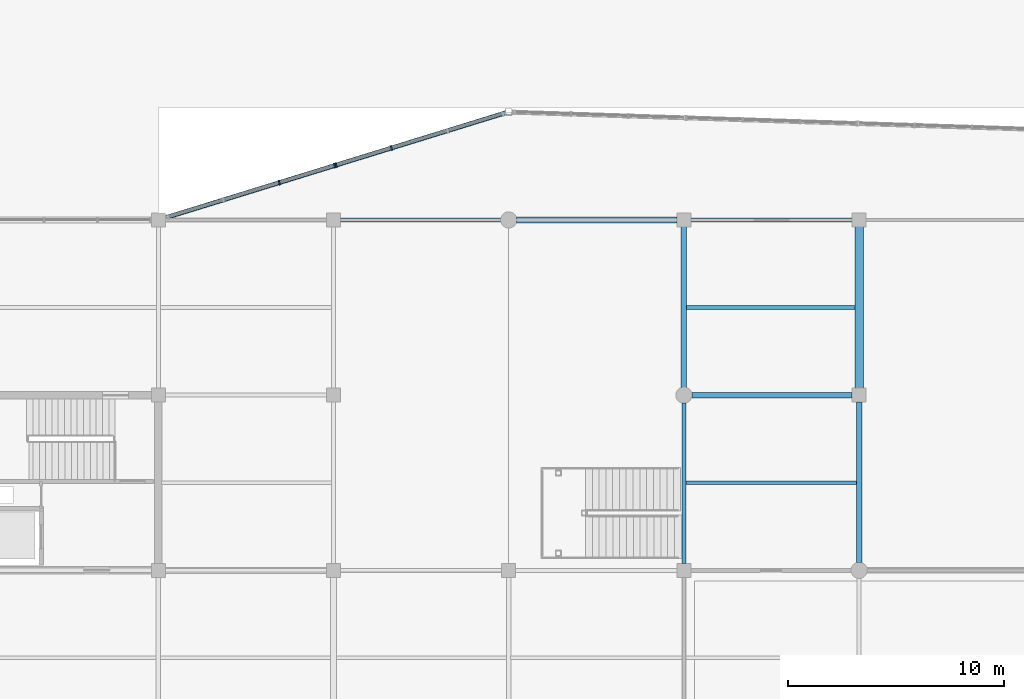
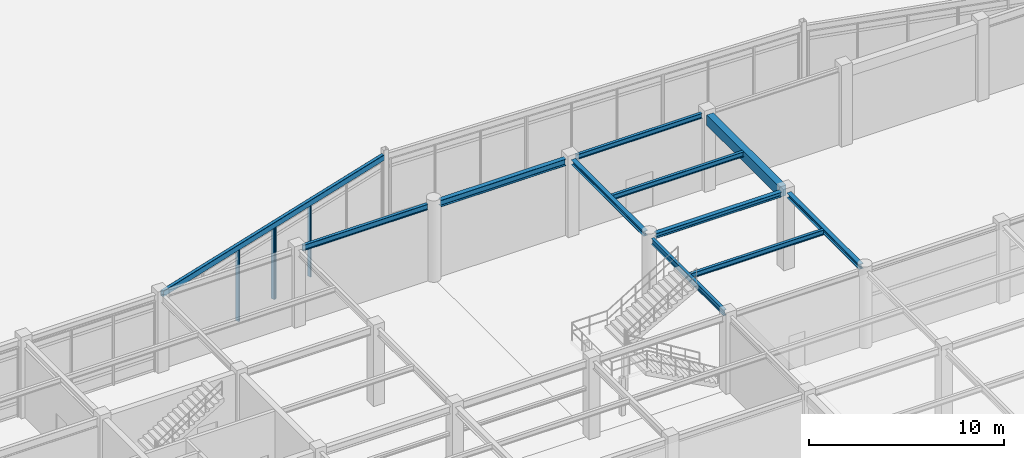
# One storey, part 28 of 99: 11 beams, 4 members, 2 elements without a shape of their own.
"""IFC4 building model written with IfcOpenShell, lengths in metres."""

from ifc_helpers import new_model, si_unit, direction, frame, origin, origin_2d, place, context, subcontext, project, spatial, rectangle, hollow_rectangle, i_section, extrude, material, layer, layer_set, material_profile, profile_set, type_object, element, aggregate, save


model = new_model("IFC4")

# Units and contexts
model_context = context("Model", 3, precision=1e-05, world=origin(), true_north=direction((0.0, 1.0)))
body_context = subcontext(model_context, "Body", "Model", "MODEL_VIEW")
ifc_project = project(units=[si_unit("LENGTHUNIT", "METRE"), si_unit("AREAUNIT", "SQUARE_METRE"), si_unit("VOLUMEUNIT", "CUBIC_METRE"), si_unit("PLANEANGLEUNIT", "RADIAN"), si_unit("MASSUNIT", "GRAM", prefix="KILO")], contexts=[model_context])

# Site, building, storey
site_placement = place(None, origin())
site = spatial("IfcSite", under=ifc_project, at=site_placement, CompositionType="ELEMENT")
building_placement = place(site_placement, origin())
building = spatial("IfcBuilding", under=site, at=building_placement, Name="Vaudrelin Polytechnic", CompositionType="ELEMENT")
storey_placement = place(building_placement, origin())
storey = spatial("IfcBuildingStorey", under=building, at=storey_placement, Name="L00", CompositionType="ELEMENT", Elevation=0.0)

# Beams
ifc_material_1 = material(Name="Steel CSA G40.21 350WT", Category="steel")
ifc_material_profile_1 = material_profile(ifc_material_1, i_section(OverallWidth=0.260009765625, OverallDepth=0.4150390625, WebThickness=0.010009765625, FlangeThickness=0.016845703125, FilletRadius=0.01611328125, at=origin_2d()), Name="W410x100")
ifc_profile_set_1 = profile_set([ifc_material_profile_1], Name="Steel CSA G40.21 350WT")
beam_type_1 = type_object("IfcBeamType", Name="BM-BM-W410H", PredefinedType="SPANDREL", material=ifc_profile_set_1)
beam_1_placement = place(storey_placement, frame((73.27099609375, 48.60009765625, 4.612548828125), z_axis=(1.0, 0.0, 0.0), x_axis=(0.0, 1.0, 0.0)))
element("IfcBeam", 1, at=beam_1_placement, inside=storey, type_object=beam_type_1, Name="L00 X-beam 10-7", PredefinedType="SPANDREL", context=body_context, shape_type="SweptSolid", body=[
    extrude(i_section(OverallWidth=0.260009765625, OverallDepth=0.4150390625, WebThickness=0.010009765625, FlangeThickness=0.016845703125, FilletRadius=0.01611328125, at=origin_2d()), origin(), (0.0, 0.0, 1.0), 7.407958984375),
])
ifc_material_2 = material(Name="Steel CSA G40.21 350W", Category="steel")
ifc_material_profile_2 = material_profile(ifc_material_2, i_section(OverallWidth=0.1669921875, OverallDepth=0.31689453125, WebThickness=0.007568359375, FlangeThickness=0.01318359375, FilletRadius=0.013916015625, at=origin_2d()), Name="W310x52")
ifc_profile_set_2 = profile_set([ifc_material_profile_2], Name="Steel CSA G40.21 350W")
beam_type_2 = type_object("IfcBeamType", Name="BM-JS-W310", PredefinedType="JOIST", material=ifc_profile_set_2)
beam_2_placement = place(storey_placement, frame((81.08203125, 36.449951171875, 4.66162109375), z_axis=(1.0, 0.0, 0.0), x_axis=(0.0, 1.0, 0.0)))
element("IfcBeam", 2, at=beam_2_placement, inside=storey, type_object=beam_type_2, Name="L00 floor joist 11-5", PredefinedType="JOIST", context=body_context, shape_type="SweptSolid", body=[
    extrude(i_section(OverallWidth=0.1669921875, OverallDepth=0.31689453125, WebThickness=0.007568359375, FlangeThickness=0.01318359375, FilletRadius=0.013916015625, at=origin_2d()), origin(), (0.0, 0.0, 1.0), 7.89501953125),
])
beam_3_placement = place(storey_placement, frame((81.123046875, 44.550048828125, 4.66162109375), z_axis=(1.0, 0.0, 0.0), x_axis=(0.0, 1.0, 0.0)))
element("IfcBeam", 3, at=beam_3_placement, inside=storey, type_object=beam_type_2, Name="L00 floor joist 11-6", PredefinedType="JOIST", context=body_context, shape_type="SweptSolid", body=[
    extrude(i_section(OverallWidth=0.1669921875, OverallDepth=0.31689453125, WebThickness=0.007568359375, FlangeThickness=0.01318359375, FilletRadius=0.013916015625, at=origin_2d()), origin(), (0.0, 0.0, 1.0), 7.781005859375),
])
beam_4_placement = place(storey_placement, frame((81.321044921875, 48.60009765625, 4.66162109375), z_axis=(1.0, 0.0, 0.0), x_axis=(0.0, 1.0, 0.0)))
element("IfcBeam", 4, at=beam_4_placement, inside=storey, type_object=beam_type_2, Name="L00 X-beam 11-7", PredefinedType="JOIST", context=body_context, shape_type="SweptSolid", body=[
    extrude(i_section(OverallWidth=0.1669921875, OverallDepth=0.31689453125, WebThickness=0.007568359375, FlangeThickness=0.01318359375, FilletRadius=0.013916015625, at=origin_2d()), origin(), (0.0, 0.0, 1.0), 7.4580078125),
])
ifc_material_profile_3 = material_profile(ifc_material_1, i_section(OverallWidth=0.25390625, OverallDepth=0.305908203125, WebThickness=0.0087890625, FlangeThickness=0.0146484375, FilletRadius=0.01611328125, at=origin_2d()), Name="W310x79")
ifc_profile_set_3 = profile_set([ifc_material_profile_3], Name="Steel CSA G40.21 350WT")
beam_type_3 = type_object("IfcBeamType", Name="BM-JS-W310H", PredefinedType="SPANDREL", material=ifc_profile_set_3)
for number, where, z_axis, x_axis, name in (
    (5, (81.0, 40.860107421875, 4.6669921875), (0.0, 1.0, 0.0), (-1.0, 0.0, 0.0), "L00 Y-beam 11-6"),
    (6, (89.10009765625, 32.760009765625, 4.6669921875), (0.0, 1.0, 0.0), (-1.0, 0.0, 0.0), "L00 Y-beam 12-5"),
):
    element("IfcBeam", number, at=place(storey_placement, frame(where, z_axis=z_axis, x_axis=x_axis)), inside=storey, type_object=beam_type_3, Name=name, PredefinedType="SPANDREL", context=body_context, shape_type="SweptSolid", body=[
        extrude(i_section(OverallWidth=0.25390625, OverallDepth=0.305908203125, WebThickness=0.0087890625, FlangeThickness=0.0146484375, FilletRadius=0.01611328125, at=origin_2d()), origin(), (0.0, 0.0, 1.0), 7.429931640625),
    ])
beam_5_placement = place(storey_placement, frame((81.37109375, 40.5, 4.6669921875), z_axis=(1.0, 0.0, 0.0), x_axis=(0.0, 1.0, 0.0)))
element("IfcBeam", 7, at=beam_5_placement, inside=storey, type_object=beam_type_3, Name="L00 X-beam 11-6", PredefinedType="SPANDREL", context=body_context, shape_type="SweptSolid", body=[
    extrude(i_section(OverallWidth=0.25390625, OverallDepth=0.305908203125, WebThickness=0.0087890625, FlangeThickness=0.0146484375, FilletRadius=0.01611328125, at=origin_2d()), origin(), (0.0, 0.0, 1.0), 7.407958984375),
])
ifc_material_profile_4 = material_profile(ifc_material_2, i_section(OverallWidth=0.172119140625, OverallDepth=0.35791015625, WebThickness=0.0078125, FlangeThickness=0.01318359375, FilletRadius=0.014892578125, at=origin_2d()), Name="W360x57")
ifc_profile_set_4 = profile_set([ifc_material_profile_4], Name="Steel CSA G40.21 350W")
beam_type_4 = type_object("IfcBeamType", Name="BM-JS-W360", PredefinedType="JOIST", material=ifc_profile_set_4)
beam_6_placement = place(storey_placement, frame((81.0, 32.7099609375, 4.64111328125), z_axis=(0.0, 1.0, 0.0), x_axis=(-1.0, 0.0, 0.0)))
element("IfcBeam", 8, at=beam_6_placement, inside=storey, type_object=beam_type_4, Name="L00 Y-beam 11-5", PredefinedType="JOIST", context=body_context, shape_type="SweptSolid", body=[
    extrude(i_section(OverallWidth=0.172119140625, OverallDepth=0.35791015625, WebThickness=0.0078125, FlangeThickness=0.01318359375, FilletRadius=0.014892578125, at=origin_2d()), origin(), (0.0, 0.0, 1.0), 7.429931640625),
])
beam_7_placement = place(storey_placement, frame((65.12109375, 48.60009765625, 4.64111328125), z_axis=(1.0, 0.0, 0.0), x_axis=(0.0, 1.0, 0.0)))
element("IfcBeam", 9, at=beam_7_placement, inside=storey, type_object=beam_type_4, Name="L00 X-beam 9-7", PredefinedType="JOIST", context=body_context, shape_type="SweptSolid", body=[
    extrude(i_section(OverallWidth=0.172119140625, OverallDepth=0.35791015625, WebThickness=0.0078125, FlangeThickness=0.01318359375, FilletRadius=0.014892578125, at=origin_2d()), origin(), (0.0, 0.0, 1.0), 7.407958984375),
])
ifc_material_profile_5 = material_profile(ifc_material_1, hollow_rectangle(XDim=0.202880859375, YDim=0.35595703125, WallThickness=0.0126953125, InnerFilletRadius=0.0126953125, OuterFilletRadius=0.025390625, at=origin_2d()), Name="HSS356x203x12.7")
ifc_profile_set_5 = profile_set([ifc_material_profile_5], Name="Steel CSA G40.21 350WT")
beam_type_5 = type_object("IfcBeamType", Name="BM-SP-HSS35", PredefinedType="SPANDREL", material=ifc_profile_set_5)
beam_8_placement = place(storey_placement, frame((56.833740234375, 48.641357421875, 4.64208984375), z_axis=(0.955526338589, 0.294905775227, 0.0), x_axis=(-0.294905775227, 0.955526338589, 0.0)))
element("IfcBeam", 10, at=beam_8_placement, inside=storey, type_object=beam_type_5, Name="Sculptural edge beam L00 CT_OR1_B1", PredefinedType="SPANDREL", context=body_context, shape_type="SweptSolid", body=[
    extrude(hollow_rectangle(XDim=0.202880859375, YDim=0.35595703125, WallThickness=0.0126953125, InnerFilletRadius=0.0126953125, OuterFilletRadius=0.025390625, at=origin_2d()), origin(), (0.0, 0.0, 1.0), 16.673828125),
])
ifc_material_3 = material(Name="Concrete 40 MPa", Category="concrete")
ifc_material_profile_6 = material_profile(ifc_material_3, rectangle(XDim=0.39990234375, YDim=0.64990234375, at=origin_2d()), Name="RC400x650")
ifc_profile_set_6 = profile_set([ifc_material_profile_6], Name="Concrete 40 MPa")
beam_type_6 = type_object("IfcBeamType", Name="BM-SP-RC4065", PredefinedType="SPANDREL", material=ifc_profile_set_6)
beam_9_placement = place(storey_placement, frame((89.10009765625, 40.81005859375, 4.4951171875), z_axis=(0.0, 1.0, 0.0), x_axis=(-1.0, 0.0, 0.0)))
element("IfcBeam", 11, at=beam_9_placement, inside=storey, type_object=beam_type_6, Name="L00 Y-beam 12-6", PredefinedType="SPANDREL", context=body_context, shape_type="SweptSolid", body=[
    extrude(rectangle(XDim=0.39990234375, YDim=0.64990234375, at=origin_2d()), origin(), (0.0, 0.0, 1.0), 7.47998046875),
])

# Curtain wall, members
ifc_material_4 = material(Name="Thermally broken anodised aluminium AA 6063-T6 and low-e triple glazing", Category="aluminium")
ifc_layer = layer(ifc_material_4, 0.199951171875)
ifc_layer_set = layer_set([ifc_layer], Name="Thermally broken anodised aluminium AA 6063-T6 and low-e triple glazing")
curtain_wall_type = type_object("IfcCurtainWallType", Name="CW-CW-WG", PredefinedType="USERDEFINED", material=ifc_layer_set)
curtain_wall_1_placement = place(storey_placement, origin())
curtain_wall_1 = element("IfcCurtainWall", 12, at=curtain_wall_1_placement, inside=storey, type_object=curtain_wall_type, Name="Curtain wall L00 CT_OR1_1_0", ObjectType="CURTAIN WALL", PredefinedType="USERDEFINED")
ifc_material_5 = material(Name="Anodised aluminium AA 6063-T6", Category="aluminium")
ifc_material_profile_7 = material_profile(ifc_material_5, rectangle(XDim=0.074951171875, YDim=0.219970703125, at=origin_2d()), Name="CWM-75x220")
ifc_profile_set_7 = profile_set([ifc_material_profile_7], Name="Anodised aluminium AA 6063-T6")
member_type = type_object("IfcMemberType", Name="MEM-CWM-220", PredefinedType="MULLION", material=ifc_profile_set_7)
member_1_placement = place(storey_placement, frame((62.29296875, 50.326171875, 0.0), z_axis=(0.0, 0.0, 1.0), x_axis=(0.95552585244, 0.294907350399, 0.0)))
member_1 = element("IfcMember", 13, at=member_1_placement, type_object=member_type, Name="CT_OR1_1_0 mullion 3", PredefinedType="MULLION", context=body_context, shape_type="SweptSolid", body=[
    extrude(rectangle(XDim=0.074951171875, YDim=0.219970703125, at=origin_2d()), origin(), (0.0, 0.0, 1.0), 4.489990234375),
])
member_2_placement = place(storey_placement, frame((64.84814453125, 51.11474609375, 0.0), z_axis=(0.0, 0.0, 1.0), x_axis=(0.95552585244, 0.294907350399, 0.0)))
member_2 = element("IfcMember", 14, at=member_2_placement, type_object=member_type, Name="CT_OR1_1_0 mullion 4", PredefinedType="MULLION", context=body_context, shape_type="SweptSolid", body=[
    extrude(rectangle(XDim=0.074951171875, YDim=0.219970703125, at=origin_2d()), origin(), (0.0, 0.0, 1.0), 4.489990234375),
])
aggregate(curtain_wall_1, [member_1, member_2])

curtain_wall_2_placement = place(storey_placement, origin())
curtain_wall_2 = element("IfcCurtainWall", 15, at=curtain_wall_2_placement, inside=storey, type_object=curtain_wall_type, Name="Curtain wall L00 CT_OR1_1_1", ObjectType="CURTAIN WALL", PredefinedType="USERDEFINED")
member_3_placement = place(storey_placement, frame((64.924560546875, 51.138427734375, 0.0), z_axis=(0.0, 0.0, 1.0), x_axis=(0.955521323277, 0.294922024887, 0.0)))
member_3 = element("IfcMember", 16, at=member_3_placement, type_object=member_type, Name="CT_OR1_1_1 mullion 1", PredefinedType="MULLION", context=body_context, shape_type="SweptSolid", body=[
    extrude(rectangle(XDim=0.074951171875, YDim=0.219970703125, at=origin_2d()), origin(), (0.0, 0.0, 1.0), 4.489990234375),
])
member_4_placement = place(storey_placement, frame((67.4794921875, 51.927001953125, 0.0), z_axis=(0.0, 0.0, 1.0), x_axis=(0.955521323277, 0.294922024887, 0.0)))
member_4 = element("IfcMember", 17, at=member_4_placement, type_object=member_type, Name="CT_OR1_1_1 mullion 2", PredefinedType="MULLION", context=body_context, shape_type="SweptSolid", body=[
    extrude(rectangle(XDim=0.074951171875, YDim=0.219970703125, at=origin_2d()), origin(), (0.0, 0.0, 1.0), 4.489990234375),
])
aggregate(curtain_wall_2, [member_3, member_4])

save(model, "model.ifc")
